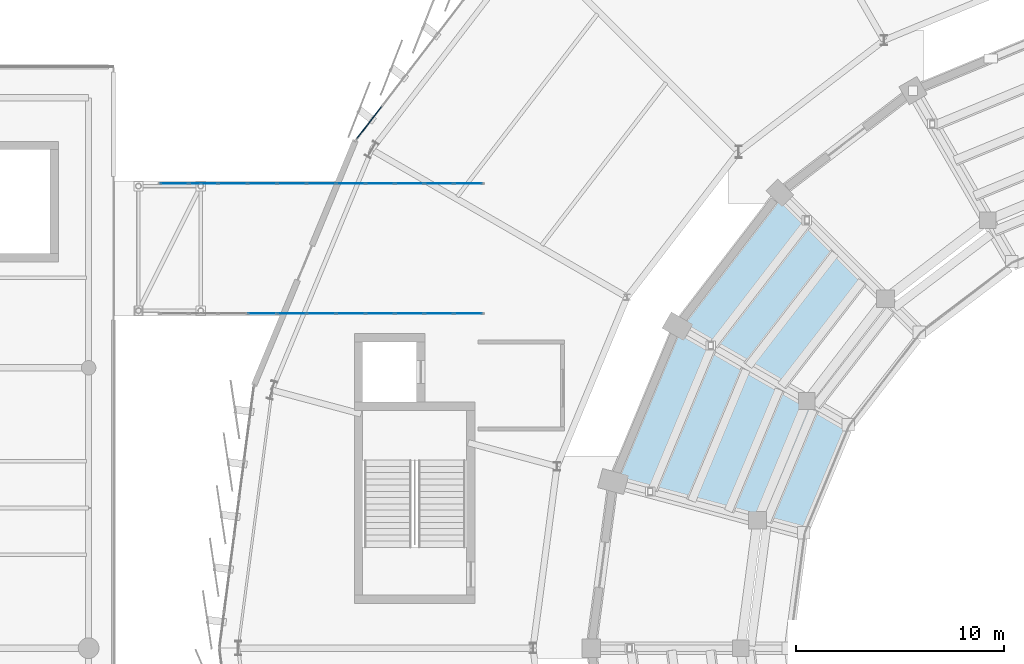
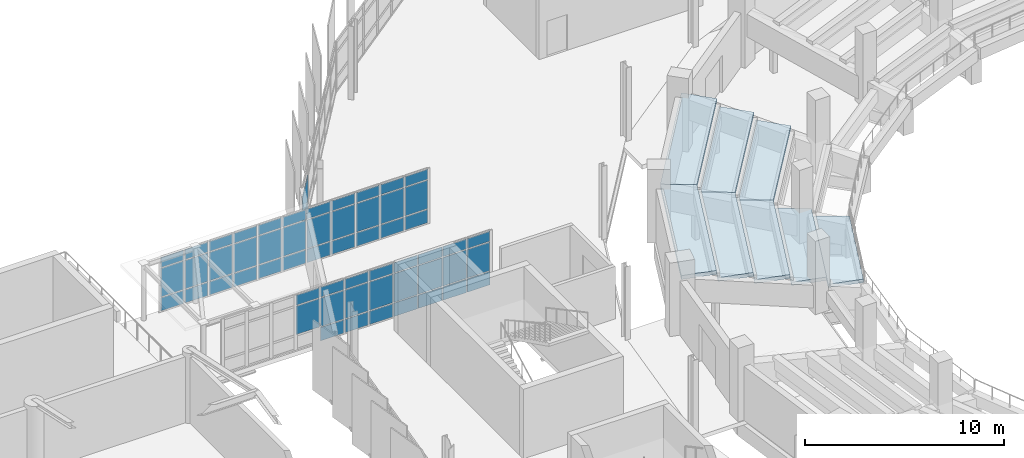
# One storey, part 83 of 120: 58 plates, 8 slabs, 3 elements without a shape of their own.
"""IFC4 building model written with IfcOpenShell, lengths in metres."""

import ifcopenshell
import ifcopenshell.guid

model = None  # the IFC model being written
_history = None  # IfcOwnerHistory: only IFC2X3 demands one
_inside = {}  # id of a spatial element -> (the spatial element, [elements in it])
_under = {}  # id of a project, library or spatial element -> (it, [spatial elements below it])
_declared = {}  # id of a project -> (the project, [libraries it declares])
_typed = {}  # id of a type object -> (the type object, [elements of that type])
_made_of = {}  # id of a material, layer set ... -> (it, [elements and type objects made of it])


def new_model(schema):
    """Start an empty IFC model of exactly this schema.

    Asked for "IFC4X3", IfcOpenShell would pick the latest addendum, in which some entities
    have other attributes; the version numbers below select the first issue.
    IFC2X3 requires an IfcOwnerHistory on every rooted entity: one is made here for all.
    """
    global model, _history
    if schema == "IFC4X3":
        model = ifcopenshell.file(schema_version=(4, 3, 0, 0))
    else:
        model = ifcopenshell.file(schema=schema)
    _inside.clear()
    _under.clear()
    _declared.clear()
    _typed.clear()
    _made_of.clear()
    _history = None
    if model.schema == "IFC2X3":
        org = make("IfcOrganization", Name="unknown")
        user = make(
            "IfcPersonAndOrganization",
            ThePerson=make("IfcPerson", FamilyName="unknown"),
            TheOrganization=org,
        )
        app = make(
            "IfcApplication",
            ApplicationDeveloper=org,
            Version="unknown",
            ApplicationFullName="unknown",
            ApplicationIdentifier="unknown",
        )
        _history = make(
            "IfcOwnerHistory",
            OwningUser=user,
            OwningApplication=app,
            ChangeAction="ADDED",
            CreationDate=0,
        )
    return model


def make(cls, **values):
    """One entity of the class cls with the attributes given. An attribute that is None is left unset."""
    return model.create_entity(
        cls, **{name: value for name, value in values.items() if value is not None}
    )


def rooted(cls, **values):
    """An entity with a GlobalId (a new one), such as an element, a storey or a relation."""
    return make(cls, GlobalId=ifcopenshell.guid.new(), OwnerHistory=_history, **values)


def si_unit(unit_type, name, prefix=None):
    """IfcSIUnit, for example si_unit("LENGTHUNIT", "METRE", prefix="MILLI")."""
    return make("IfcSIUnit", UnitType=unit_type, Prefix=prefix, Name=name)


def assignment(units):
    """IfcUnitAssignment: the units of a project."""
    return None if units is None else make("IfcUnitAssignment", Units=units)


def point(xyz):
    """IfcCartesianPoint."""
    return None if xyz is None else make("IfcCartesianPoint", Coordinates=xyz)


def direction(xyz):
    """IfcDirection."""
    return None if xyz is None else make("IfcDirection", DirectionRatios=xyz)


def frame(location, z_axis=None, x_axis=None):
    """IfcAxis2Placement3D, a coordinate frame: its origin and axes. An axis left out is left unset."""
    return make(
        "IfcAxis2Placement3D",
        Location=point(location),
        Axis=direction(z_axis),
        RefDirection=direction(x_axis),
    )


def frame_2d(location, x_axis=None):
    """IfcAxis2Placement2D, a coordinate frame in the plane: its origin and x axis."""
    return make(
        "IfcAxis2Placement2D", Location=point(location), RefDirection=direction(x_axis)
    )


def origin():
    """The frame at (0, 0, 0) with its axes left unset."""
    return frame((0.0, 0.0, 0.0))


def origin_2d():
    """The frame at (0, 0) in the plane with its x axis left unset."""
    return frame_2d((0.0, 0.0))


def place(relative_to, where):
    """IfcLocalPlacement: puts the frame where relative to a parent placement (None: the world)."""
    return make(
        "IfcLocalPlacement", PlacementRelTo=relative_to, RelativePlacement=where
    )


def context(
    kind, dimensions, precision=None, world=None, true_north=None, identifier=None
):
    """IfcGeometricRepresentationContext, for example the 3D "Model" context."""
    return make(
        "IfcGeometricRepresentationContext",
        ContextIdentifier=identifier,
        ContextType=kind,
        CoordinateSpaceDimension=dimensions,
        Precision=precision,
        WorldCoordinateSystem=world,
        TrueNorth=true_north,
    )


def subcontext(parent, identifier, kind, view, scale=None):
    """IfcGeometricRepresentationSubContext, for example "Body" below "Model"."""
    return make(
        "IfcGeometricRepresentationSubContext",
        ContextIdentifier=identifier,
        ContextType=kind,
        ParentContext=parent,
        TargetScale=scale,
        TargetView=view,
    )


def project(units=None, contexts=None):
    """IfcProject with its units and contexts."""
    return rooted(
        "IfcProject",
        Name="project",
        RepresentationContexts=contexts,
        UnitsInContext=assignment(units),
    )


def spatial(cls, under=None, at=None, **own):
    """A site, building, storey or space (cls), placed at a placement, below another one or the project."""
    s = rooted(cls, ObjectPlacement=at, **own)
    if under is not None:
        _under.setdefault(under.id(), (under, []))[1].append(s)
    return s


def polyline(points):
    """IfcPolyline through the points."""
    return make("IfcPolyline", Points=[point(p) for p in points])


def profile(cls, at=None, kind="AREA", **sizes):
    """A parametric profile (cls). Its sizes go by their IFC names, for example OverallWidth=200.0."""
    return make(cls, ProfileType=kind, Position=at, **sizes)


def rectangle(**sizes):
    """IfcRectangleProfileDef."""
    return profile("IfcRectangleProfileDef", **sizes)


def outline(outer, holes=None, kind="AREA"):
    """IfcArbitraryClosedProfileDef: a profile drawn as a closed curve; with holes, ...WithVoids."""
    if holes is None:
        return make("IfcArbitraryClosedProfileDef", ProfileType=kind, OuterCurve=outer)
    return make(
        "IfcArbitraryProfileDefWithVoids",
        ProfileType=kind,
        OuterCurve=outer,
        InnerCurves=holes,
    )


def extrude(swept, where, along, depth):
    """IfcExtrudedAreaSolid: the profile swept, set in the frame where, extruded along a direction by depth."""
    return make(
        "IfcExtrudedAreaSolid",
        SweptArea=swept,
        Position=where,
        ExtrudedDirection=direction(along),
        Depth=depth,
    )


def shape(context_of_items, identifier, shape_type, items):
    """IfcShapeRepresentation: the items that make up one representation, for example the "Body"."""
    return make(
        "IfcShapeRepresentation",
        ContextOfItems=context_of_items,
        RepresentationIdentifier=identifier,
        RepresentationType=shape_type,
        Items=items,
    )


def material(Name=None, Category=None):
    """IfcMaterial."""
    return make("IfcMaterial", Name=Name, Category=Category)


def layer(
    of_material, thickness, ventilated=None, Name=None, Category=None, Priority=None
):
    """IfcMaterialLayer: one layer of a wall or slab, of a material (None: an air gap)."""
    return make(
        "IfcMaterialLayer",
        Material=of_material,
        LayerThickness=thickness,
        IsVentilated=ventilated,
        Name=Name,
        Category=Category,
        Priority=Priority,
    )


def layer_set(layers, Name=None):
    """IfcMaterialLayerSet."""
    return make("IfcMaterialLayerSet", MaterialLayers=layers, LayerSetName=Name)


def made_of(thing, what):
    """Note that an element or type object is made of a material, layer set ...; save() writes the relation."""
    if what is not None:
        _made_of.setdefault(what.id(), (what, []))[1].append(thing)
    return thing


def type_object(cls, material=None, **own):
    """A type object (cls), such as IfcWallType, which elements share."""
    return made_of(rooted(cls, **own), material)


def element(
    cls,
    number,
    at=None,
    inside=None,
    cuts=None,
    type_object=None,
    material=None,
    context=None,
    identifier="Body",
    shape_type=None,
    held_by="IfcProductDefinitionShape",
    body=None,
    shapes=None,
    **own,
):
    """One element of the class cls, such as IfcWall. Its Tag is "e" and its number.

    at: its placement. inside: the storey or other place that contains it. cuts: it is an
    opening in that element (IfcRelVoidsElement). A single representation is given by context,
    identifier, shape_type and body (its items); several are given by shapes. held_by: the class
    of the entity that holds the representations. save() writes the other relations.
    """
    e = rooted(cls, Tag="e%d" % number, ObjectPlacement=at, **own)
    if body is not None:
        shapes = [shape(context, identifier, shape_type, body)]
    if shapes is not None:
        e.Representation = make(held_by, Representations=shapes)
    if inside is not None:
        _inside.setdefault(inside.id(), (inside, []))[1].append(e)
    if cuts is not None:
        rooted(
            "IfcRelVoidsElement", RelatingBuildingElement=cuts, RelatedOpeningElement=e
        )
    if type_object is not None:
        _typed.setdefault(type_object.id(), (type_object, []))[1].append(e)
    return made_of(e, material)


def aggregate(whole, parts):
    """IfcRelAggregates: a whole, such as a stair, and the parts it consists of."""
    return rooted("IfcRelAggregates", RelatingObject=whole, RelatedObjects=parts)


def save(model, path):
    """Write the relations noted so far, then the file.

    IfcRelAggregates (storeys below a building ...), IfcRelContainedInSpatialStructure (elements
    in a storey), IfcRelDefinesByType, IfcRelAssociatesMaterial and IfcRelDeclares: one each for
    every whole, place, type object, material and project.
    """
    for whole, parts in _under.values():
        aggregate(whole, parts)
    for where, things in _inside.values():
        rooted(
            "IfcRelContainedInSpatialStructure",
            RelatedElements=things,
            RelatingStructure=where,
        )
    for kind, things in _typed.values():
        rooted("IfcRelDefinesByType", RelatedObjects=things, RelatingType=kind)
    for what, things in _made_of.values():
        rooted("IfcRelAssociatesMaterial", RelatedObjects=things, RelatingMaterial=what)
    for by, libraries in _declared.values():
        rooted("IfcRelDeclares", RelatingContext=by, RelatedDefinitions=libraries)
    model.write(path)


model = new_model("IFC4")

# Units and contexts
model_context = context("Model", 3, precision=1e-05, world=origin(), true_north=direction((0.0, 1.0)))
body_context = subcontext(model_context, "Body", "Model", "MODEL_VIEW")
ifc_project = project(units=[si_unit("LENGTHUNIT", "METRE"), si_unit("AREAUNIT", "SQUARE_METRE"), si_unit("VOLUMEUNIT", "CUBIC_METRE"), si_unit("PLANEANGLEUNIT", "RADIAN"), si_unit("MASSUNIT", "GRAM", prefix="KILO")], contexts=[model_context])

# Site, building, storey
site_placement = place(None, origin())
site = spatial("IfcSite", under=ifc_project, at=site_placement, CompositionType="ELEMENT")
building_placement = place(site_placement, origin())
building = spatial("IfcBuilding", under=site, at=building_placement, Name="Sohan Crest Arena", CompositionType="ELEMENT")
storey_placement = place(building_placement, frame((0.0, 0.0, 13.5)))
storey = spatial("IfcBuildingStorey", under=building, at=storey_placement, Name="L03", CompositionType="ELEMENT", Elevation=13.5)

# Curtain wall, plates
ifc_material_1 = material(Name="Thermally broken anodised aluminium", Category="aluminium")
ifc_layer_1 = layer(ifc_material_1, 0.18994140625, Name="Thermally broken anodised aluminium")
ifc_layer_set_1 = layer_set([ifc_layer_1], Name="Thermally broken anodised aluminium")
curtain_wall_type_1 = type_object("IfcCurtainWallType", Name="ARC-CW05", PredefinedType="NOTDEFINED", material=ifc_layer_set_1)
curtain_wall_1_placement = place(storey_placement, origin())
curtain_wall_1 = element("IfcCurtainWall", 1, at=curtain_wall_1_placement, inside=storey, type_object=curtain_wall_type_1, Name="Unitised curtain wall CW-237", PredefinedType="NOTDEFINED")
ifc_material_2 = material(Name="Low-E double-glazed insulated glass", Category="glass")
ifc_layer_2 = layer(ifc_material_2, 0.028076171875, Name="Low-E double-glazed insulated glass")
ifc_layer_set_2 = layer_set([ifc_layer_2], Name="Low-E double-glazed insulated glass")
plate_type_1 = type_object("IfcPlateType", Name="ARC-CNP01", PredefinedType="CURTAIN_PANEL", material=ifc_layer_set_2)
plate_1_placement = place(storey_placement, frame((51.16357421875, 94.1201171875, 0.93017578125), z_axis=(0.0, 0.0, 1.0), x_axis=(1.0, 0.0, 0.0)))
plate_1 = element("IfcPlate", 2, at=plate_1_placement, type_object=plate_type_1, Name="CW-237 panel 4.2", PredefinedType="CURTAIN_PANEL", context=body_context, shape_type="SweptSolid", body=[
    extrude(rectangle(XDim=1.353271484375, YDim=0.028076171875, at=origin_2d()), origin(), (0.0, 0.0, 1.0), 1.739990234375),
])
plate_2_placement = place(storey_placement, frame((51.16357421875, 94.1201171875, 2.72998046875), z_axis=(0.0, 0.0, 1.0), x_axis=(1.0, 0.0, 0.0)))
plate_2 = element("IfcPlate", 3, at=plate_2_placement, type_object=plate_type_1, Name="CW-237 panel 4.3", PredefinedType="CURTAIN_PANEL", context=body_context, shape_type="SweptSolid", body=[
    extrude(rectangle(XDim=1.353271484375, YDim=0.028076171875, at=origin_2d()), origin(), (0.0, 0.0, 1.0), 0.610107421875),
])
plate_3_placement = place(storey_placement, frame((52.581787109375, 94.1201171875, 0.06005859375), z_axis=(0.0, 0.0, 1.0), x_axis=(1.0, 0.0, 0.0)))
plate_3 = element("IfcPlate", 4, at=plate_3_placement, type_object=plate_type_1, Name="CW-237 panel 5.1", PredefinedType="CURTAIN_PANEL", context=body_context, shape_type="SweptSolid", body=[
    extrude(rectangle(XDim=1.353271484375, YDim=0.028076171875, at=origin_2d()), origin(), (0.0, 0.0, 1.0), 0.81005859375),
])
plate_4_placement = place(storey_placement, frame((52.581787109375, 94.1201171875, 0.93017578125), z_axis=(0.0, 0.0, 1.0), x_axis=(1.0, 0.0, 0.0)))
plate_4 = element("IfcPlate", 5, at=plate_4_placement, type_object=plate_type_1, Name="CW-237 panel 5.2", PredefinedType="CURTAIN_PANEL", context=body_context, shape_type="SweptSolid", body=[
    extrude(rectangle(XDim=1.353271484375, YDim=0.028076171875, at=origin_2d()), origin(), (0.0, 0.0, 1.0), 1.739990234375),
])
plate_5_placement = place(storey_placement, frame((52.581787109375, 94.1201171875, 2.72998046875), z_axis=(0.0, 0.0, 1.0), x_axis=(1.0, 0.0, 0.0)))
plate_5 = element("IfcPlate", 6, at=plate_5_placement, type_object=plate_type_1, Name="CW-237 panel 5.3", PredefinedType="CURTAIN_PANEL", context=body_context, shape_type="SweptSolid", body=[
    extrude(rectangle(XDim=1.353271484375, YDim=0.028076171875, at=origin_2d()), origin(), (0.0, 0.0, 1.0), 0.610107421875),
])
plate_6_placement = place(storey_placement, frame((54.0, 94.1201171875, 0.06005859375), z_axis=(0.0, 0.0, 1.0), x_axis=(1.0, 0.0, 0.0)))
plate_6 = element("IfcPlate", 7, at=plate_6_placement, type_object=plate_type_1, Name="CW-237 panel 6.1", PredefinedType="CURTAIN_PANEL", context=body_context, shape_type="SweptSolid", body=[
    extrude(rectangle(XDim=1.353271484375, YDim=0.028076171875, at=origin_2d()), origin(), (0.0, 0.0, 1.0), 0.81005859375),
])
plate_7_placement = place(storey_placement, frame((54.0, 94.1201171875, 0.93017578125), z_axis=(0.0, 0.0, 1.0), x_axis=(1.0, 0.0, 0.0)))
plate_7 = element("IfcPlate", 8, at=plate_7_placement, type_object=plate_type_1, Name="CW-237 panel 6.2", PredefinedType="CURTAIN_PANEL", context=body_context, shape_type="SweptSolid", body=[
    extrude(rectangle(XDim=1.353271484375, YDim=0.028076171875, at=origin_2d()), origin(), (0.0, 0.0, 1.0), 1.739990234375),
])
plate_8_placement = place(storey_placement, frame((54.0, 94.1201171875, 2.72998046875), z_axis=(0.0, 0.0, 1.0), x_axis=(1.0, 0.0, 0.0)))
plate_8 = element("IfcPlate", 9, at=plate_8_placement, type_object=plate_type_1, Name="CW-237 panel 6.3", PredefinedType="CURTAIN_PANEL", context=body_context, shape_type="SweptSolid", body=[
    extrude(rectangle(XDim=1.353271484375, YDim=0.028076171875, at=origin_2d()), origin(), (0.0, 0.0, 1.0), 0.610107421875),
])
plate_9_placement = place(storey_placement, frame((55.418212890625, 94.1201171875, 0.06005859375), z_axis=(0.0, 0.0, 1.0), x_axis=(1.0, 0.0, 0.0)))
plate_9 = element("IfcPlate", 10, at=plate_9_placement, type_object=plate_type_1, Name="CW-237 panel 7.1", PredefinedType="CURTAIN_PANEL", context=body_context, shape_type="SweptSolid", body=[
    extrude(rectangle(XDim=1.353271484375, YDim=0.028076171875, at=origin_2d()), origin(), (0.0, 0.0, 1.0), 0.81005859375),
])
plate_10_placement = place(storey_placement, frame((55.418212890625, 94.1201171875, 0.93017578125), z_axis=(0.0, 0.0, 1.0), x_axis=(1.0, 0.0, 0.0)))
plate_10 = element("IfcPlate", 11, at=plate_10_placement, type_object=plate_type_1, Name="CW-237 panel 7.2", PredefinedType="CURTAIN_PANEL", context=body_context, shape_type="SweptSolid", body=[
    extrude(rectangle(XDim=1.353271484375, YDim=0.028076171875, at=origin_2d()), origin(), (0.0, 0.0, 1.0), 1.739990234375),
])
plate_11_placement = place(storey_placement, frame((55.418212890625, 94.1201171875, 2.72998046875), z_axis=(0.0, 0.0, 1.0), x_axis=(1.0, 0.0, 0.0)))
plate_11 = element("IfcPlate", 12, at=plate_11_placement, type_object=plate_type_1, Name="CW-237 panel 7.3", PredefinedType="CURTAIN_PANEL", context=body_context, shape_type="SweptSolid", body=[
    extrude(rectangle(XDim=1.353271484375, YDim=0.028076171875, at=origin_2d()), origin(), (0.0, 0.0, 1.0), 0.610107421875),
])
plate_12_placement = place(storey_placement, frame((56.83642578125, 94.1201171875, 0.06005859375), z_axis=(0.0, 0.0, 1.0), x_axis=(1.0, 0.0, 0.0)))
plate_12 = element("IfcPlate", 13, at=plate_12_placement, type_object=plate_type_1, Name="CW-237 panel 8.1", PredefinedType="CURTAIN_PANEL", context=body_context, shape_type="SweptSolid", body=[
    extrude(rectangle(XDim=1.353271484375, YDim=0.028076171875, at=origin_2d()), origin(), (0.0, 0.0, 1.0), 0.81005859375),
])
plate_13_placement = place(storey_placement, frame((56.83642578125, 94.1201171875, 0.93017578125), z_axis=(0.0, 0.0, 1.0), x_axis=(1.0, 0.0, 0.0)))
plate_13 = element("IfcPlate", 14, at=plate_13_placement, type_object=plate_type_1, Name="CW-237 panel 8.2", PredefinedType="CURTAIN_PANEL", context=body_context, shape_type="SweptSolid", body=[
    extrude(rectangle(XDim=1.353271484375, YDim=0.028076171875, at=origin_2d()), origin(), (0.0, 0.0, 1.0), 1.739990234375),
])
plate_14_placement = place(storey_placement, frame((56.83642578125, 94.1201171875, 2.72998046875), z_axis=(0.0, 0.0, 1.0), x_axis=(1.0, 0.0, 0.0)))
plate_14 = element("IfcPlate", 15, at=plate_14_placement, type_object=plate_type_1, Name="CW-237 panel 8.3", PredefinedType="CURTAIN_PANEL", context=body_context, shape_type="SweptSolid", body=[
    extrude(rectangle(XDim=1.353271484375, YDim=0.028076171875, at=origin_2d()), origin(), (0.0, 0.0, 1.0), 0.610107421875),
])
plate_15_placement = place(storey_placement, frame((58.254638671875, 94.1201171875, 0.06005859375), z_axis=(0.0, 0.0, 1.0), x_axis=(1.0, 0.0, 0.0)))
plate_15 = element("IfcPlate", 16, at=plate_15_placement, type_object=plate_type_1, Name="CW-237 panel 9.1", PredefinedType="CURTAIN_PANEL", context=body_context, shape_type="SweptSolid", body=[
    extrude(rectangle(XDim=1.353271484375, YDim=0.028076171875, at=origin_2d()), origin(), (0.0, 0.0, 1.0), 0.81005859375),
])
plate_16_placement = place(storey_placement, frame((58.254638671875, 94.1201171875, 0.93017578125), z_axis=(0.0, 0.0, 1.0), x_axis=(1.0, 0.0, 0.0)))
plate_16 = element("IfcPlate", 17, at=plate_16_placement, type_object=plate_type_1, Name="CW-237 panel 9.2", PredefinedType="CURTAIN_PANEL", context=body_context, shape_type="SweptSolid", body=[
    extrude(rectangle(XDim=1.353271484375, YDim=0.028076171875, at=origin_2d()), origin(), (0.0, 0.0, 1.0), 1.739990234375),
])
plate_17_placement = place(storey_placement, frame((58.254638671875, 94.1201171875, 2.72998046875), z_axis=(0.0, 0.0, 1.0), x_axis=(1.0, 0.0, 0.0)))
plate_17 = element("IfcPlate", 18, at=plate_17_placement, type_object=plate_type_1, Name="CW-237 panel 9.3", PredefinedType="CURTAIN_PANEL", context=body_context, shape_type="SweptSolid", body=[
    extrude(rectangle(XDim=1.353271484375, YDim=0.028076171875, at=origin_2d()), origin(), (0.0, 0.0, 1.0), 0.610107421875),
])
plate_18_placement = place(storey_placement, frame((59.672607421875, 94.1201171875, 0.06005859375), z_axis=(0.0, 0.0, 1.0), x_axis=(1.0, 0.0, 0.0)))
plate_18 = element("IfcPlate", 19, at=plate_18_placement, type_object=plate_type_1, Name="CW-237 panel 10.1", PredefinedType="CURTAIN_PANEL", context=body_context, shape_type="SweptSolid", body=[
    extrude(rectangle(XDim=1.353271484375, YDim=0.028076171875, at=origin_2d()), origin(), (0.0, 0.0, 1.0), 0.81005859375),
])
plate_19_placement = place(storey_placement, frame((59.672607421875, 94.1201171875, 0.93017578125), z_axis=(0.0, 0.0, 1.0), x_axis=(1.0, 0.0, 0.0)))
plate_19 = element("IfcPlate", 20, at=plate_19_placement, type_object=plate_type_1, Name="CW-237 panel 10.2", PredefinedType="CURTAIN_PANEL", context=body_context, shape_type="SweptSolid", body=[
    extrude(rectangle(XDim=1.353271484375, YDim=0.028076171875, at=origin_2d()), origin(), (0.0, 0.0, 1.0), 1.739990234375),
])
plate_20_placement = place(storey_placement, frame((59.672607421875, 94.1201171875, 2.72998046875), z_axis=(0.0, 0.0, 1.0), x_axis=(1.0, 0.0, 0.0)))
plate_20 = element("IfcPlate", 21, at=plate_20_placement, type_object=plate_type_1, Name="CW-237 panel 10.3", PredefinedType="CURTAIN_PANEL", context=body_context, shape_type="SweptSolid", body=[
    extrude(rectangle(XDim=1.353271484375, YDim=0.028076171875, at=origin_2d()), origin(), (0.0, 0.0, 1.0), 0.610107421875),
])
plate_21_placement = place(storey_placement, frame((61.07470703125, 94.1201171875, 0.06005859375), z_axis=(0.0, 0.0, 1.0), x_axis=(1.0, 0.0, 0.0)))
plate_21 = element("IfcPlate", 22, at=plate_21_placement, type_object=plate_type_1, Name="CW-237 panel 11.1", PredefinedType="CURTAIN_PANEL", context=body_context, shape_type="SweptSolid", body=[
    extrude(rectangle(XDim=1.32080078125, YDim=0.028076171875, at=origin_2d()), origin(), (0.0, 0.0, 1.0), 0.81005859375),
])
plate_22_placement = place(storey_placement, frame((61.07470703125, 94.1201171875, 0.93017578125), z_axis=(0.0, 0.0, 1.0), x_axis=(1.0, 0.0, 0.0)))
plate_22 = element("IfcPlate", 23, at=plate_22_placement, type_object=plate_type_1, Name="CW-237 panel 11.2", PredefinedType="CURTAIN_PANEL", context=body_context, shape_type="SweptSolid", body=[
    extrude(rectangle(XDim=1.32080078125, YDim=0.028076171875, at=origin_2d()), origin(), (0.0, 0.0, 1.0), 1.739990234375),
])
plate_23_placement = place(storey_placement, frame((61.07470703125, 94.1201171875, 2.72998046875), z_axis=(0.0, 0.0, 1.0), x_axis=(1.0, 0.0, 0.0)))
plate_23 = element("IfcPlate", 24, at=plate_23_placement, type_object=plate_type_1, Name="CW-237 panel 11.3", PredefinedType="CURTAIN_PANEL", context=body_context, shape_type="SweptSolid", body=[
    extrude(rectangle(XDim=1.32080078125, YDim=0.028076171875, at=origin_2d()), origin(), (0.0, 0.0, 1.0), 0.610107421875),
])
aggregate(curtain_wall_1, [plate_1, plate_2, plate_3, plate_4, plate_5, plate_6, plate_7, plate_8, plate_9, plate_10, plate_11, plate_12, plate_13, plate_14, plate_15, plate_16, plate_17, plate_18, plate_19, plate_20, plate_21, plate_22, plate_23])

curtain_wall_2_placement = place(storey_placement, origin())
curtain_wall_2 = element("IfcCurtainWall", 25, at=curtain_wall_2_placement, inside=storey, type_object=curtain_wall_type_1, Name="Unitised curtain wall CW-238", PredefinedType="NOTDEFINED")
plate_24_placement = place(storey_placement, frame((46.92529296875, 100.3798828125, 0.06005859375), z_axis=(0.0, 0.0, 1.0), x_axis=(1.0, 0.0, 0.0)))
plate_24 = element("IfcPlate", 26, at=plate_24_placement, type_object=plate_type_1, Name="CW-238 panel 1.1", PredefinedType="CURTAIN_PANEL", context=body_context, shape_type="SweptSolid", body=[
    extrude(rectangle(XDim=1.32080078125, YDim=0.028076171875, at=origin_2d()), origin(), (0.0, 0.0, 1.0), 0.81005859375),
])
plate_25_placement = place(storey_placement, frame((46.92529296875, 100.3798828125, 0.93017578125), z_axis=(0.0, 0.0, 1.0), x_axis=(1.0, 0.0, 0.0)))
plate_25 = element("IfcPlate", 27, at=plate_25_placement, type_object=plate_type_1, Name="CW-238 panel 1.2", PredefinedType="CURTAIN_PANEL", context=body_context, shape_type="SweptSolid", body=[
    extrude(rectangle(XDim=1.32080078125, YDim=0.028076171875, at=origin_2d()), origin(), (0.0, 0.0, 1.0), 1.739990234375),
])
plate_26_placement = place(storey_placement, frame((46.92529296875, 100.3798828125, 2.72998046875), z_axis=(0.0, 0.0, 1.0), x_axis=(1.0, 0.0, 0.0)))
plate_26 = element("IfcPlate", 28, at=plate_26_placement, type_object=plate_type_1, Name="CW-238 panel 1.3", PredefinedType="CURTAIN_PANEL", context=body_context, shape_type="SweptSolid", body=[
    extrude(rectangle(XDim=1.32080078125, YDim=0.028076171875, at=origin_2d()), origin(), (0.0, 0.0, 1.0), 0.610107421875),
])
plate_27_placement = place(storey_placement, frame((48.327392578125, 100.3798828125, 0.06005859375), z_axis=(0.0, 0.0, 1.0), x_axis=(1.0, 0.0, 0.0)))
plate_27 = element("IfcPlate", 29, at=plate_27_placement, type_object=plate_type_1, Name="CW-238 panel 2.1", PredefinedType="CURTAIN_PANEL", context=body_context, shape_type="SweptSolid", body=[
    extrude(rectangle(XDim=1.353271484375, YDim=0.028076171875, at=origin_2d()), origin(), (0.0, 0.0, 1.0), 0.81005859375),
])
plate_28_placement = place(storey_placement, frame((48.327392578125, 100.3798828125, 0.93017578125), z_axis=(0.0, 0.0, 1.0), x_axis=(1.0, 0.0, 0.0)))
plate_28 = element("IfcPlate", 30, at=plate_28_placement, type_object=plate_type_1, Name="CW-238 panel 2.2", PredefinedType="CURTAIN_PANEL", context=body_context, shape_type="SweptSolid", body=[
    extrude(rectangle(XDim=1.353271484375, YDim=0.028076171875, at=origin_2d()), origin(), (0.0, 0.0, 1.0), 1.739990234375),
])
plate_29_placement = place(storey_placement, frame((48.327392578125, 100.3798828125, 2.72998046875), z_axis=(0.0, 0.0, 1.0), x_axis=(1.0, 0.0, 0.0)))
plate_29 = element("IfcPlate", 31, at=plate_29_placement, type_object=plate_type_1, Name="CW-238 panel 2.3", PredefinedType="CURTAIN_PANEL", context=body_context, shape_type="SweptSolid", body=[
    extrude(rectangle(XDim=1.353271484375, YDim=0.028076171875, at=origin_2d()), origin(), (0.0, 0.0, 1.0), 0.610107421875),
])
plate_30_placement = place(storey_placement, frame((49.745361328125, 100.3798828125, 0.06005859375), z_axis=(0.0, 0.0, 1.0), x_axis=(1.0, 0.0, 0.0)))
plate_30 = element("IfcPlate", 32, at=plate_30_placement, type_object=plate_type_1, Name="CW-238 panel 3.1", PredefinedType="CURTAIN_PANEL", context=body_context, shape_type="SweptSolid", body=[
    extrude(rectangle(XDim=1.353271484375, YDim=0.028076171875, at=origin_2d()), origin(), (0.0, 0.0, 1.0), 0.81005859375),
])
plate_31_placement = place(storey_placement, frame((49.745361328125, 100.3798828125, 0.93017578125), z_axis=(0.0, 0.0, 1.0), x_axis=(1.0, 0.0, 0.0)))
plate_31 = element("IfcPlate", 33, at=plate_31_placement, type_object=plate_type_1, Name="CW-238 panel 3.2", PredefinedType="CURTAIN_PANEL", context=body_context, shape_type="SweptSolid", body=[
    extrude(rectangle(XDim=1.353271484375, YDim=0.028076171875, at=origin_2d()), origin(), (0.0, 0.0, 1.0), 1.739990234375),
])
plate_32_placement = place(storey_placement, frame((49.745361328125, 100.3798828125, 2.72998046875), z_axis=(0.0, 0.0, 1.0), x_axis=(1.0, 0.0, 0.0)))
plate_32 = element("IfcPlate", 34, at=plate_32_placement, type_object=plate_type_1, Name="CW-238 panel 3.3", PredefinedType="CURTAIN_PANEL", context=body_context, shape_type="SweptSolid", body=[
    extrude(rectangle(XDim=1.353271484375, YDim=0.028076171875, at=origin_2d()), origin(), (0.0, 0.0, 1.0), 0.610107421875),
])
plate_33_placement = place(storey_placement, frame((51.16357421875, 100.3798828125, 0.06005859375), z_axis=(0.0, 0.0, 1.0), x_axis=(1.0, 0.0, 0.0)))
plate_33 = element("IfcPlate", 35, at=plate_33_placement, type_object=plate_type_1, Name="CW-238 panel 4.1", PredefinedType="CURTAIN_PANEL", context=body_context, shape_type="SweptSolid", body=[
    extrude(rectangle(XDim=1.353271484375, YDim=0.028076171875, at=origin_2d()), origin(), (0.0, 0.0, 1.0), 0.81005859375),
])
plate_34_placement = place(storey_placement, frame((51.16357421875, 100.3798828125, 0.93017578125), z_axis=(0.0, 0.0, 1.0), x_axis=(1.0, 0.0, 0.0)))
plate_34 = element("IfcPlate", 36, at=plate_34_placement, type_object=plate_type_1, Name="CW-238 panel 4.2", PredefinedType="CURTAIN_PANEL", context=body_context, shape_type="SweptSolid", body=[
    extrude(rectangle(XDim=1.353271484375, YDim=0.028076171875, at=origin_2d()), origin(), (0.0, 0.0, 1.0), 1.739990234375),
])
plate_35_placement = place(storey_placement, frame((51.16357421875, 100.3798828125, 2.72998046875), z_axis=(0.0, 0.0, 1.0), x_axis=(1.0, 0.0, 0.0)))
plate_35 = element("IfcPlate", 37, at=plate_35_placement, type_object=plate_type_1, Name="CW-238 panel 4.3", PredefinedType="CURTAIN_PANEL", context=body_context, shape_type="SweptSolid", body=[
    extrude(rectangle(XDim=1.353271484375, YDim=0.028076171875, at=origin_2d()), origin(), (0.0, 0.0, 1.0), 0.610107421875),
])
plate_36_placement = place(storey_placement, frame((52.581787109375, 100.3798828125, 0.06005859375), z_axis=(0.0, 0.0, 1.0), x_axis=(1.0, 0.0, 0.0)))
plate_36 = element("IfcPlate", 38, at=plate_36_placement, type_object=plate_type_1, Name="CW-238 panel 5.1", PredefinedType="CURTAIN_PANEL", context=body_context, shape_type="SweptSolid", body=[
    extrude(rectangle(XDim=1.353271484375, YDim=0.028076171875, at=origin_2d()), origin(), (0.0, 0.0, 1.0), 0.81005859375),
])
plate_37_placement = place(storey_placement, frame((52.581787109375, 100.3798828125, 0.93017578125), z_axis=(0.0, 0.0, 1.0), x_axis=(1.0, 0.0, 0.0)))
plate_37 = element("IfcPlate", 39, at=plate_37_placement, type_object=plate_type_1, Name="CW-238 panel 5.2", PredefinedType="CURTAIN_PANEL", context=body_context, shape_type="SweptSolid", body=[
    extrude(rectangle(XDim=1.353271484375, YDim=0.028076171875, at=origin_2d()), origin(), (0.0, 0.0, 1.0), 1.739990234375),
])
plate_38_placement = place(storey_placement, frame((52.581787109375, 100.3798828125, 2.72998046875), z_axis=(0.0, 0.0, 1.0), x_axis=(1.0, 0.0, 0.0)))
plate_38 = element("IfcPlate", 40, at=plate_38_placement, type_object=plate_type_1, Name="CW-238 panel 5.3", PredefinedType="CURTAIN_PANEL", context=body_context, shape_type="SweptSolid", body=[
    extrude(rectangle(XDim=1.353271484375, YDim=0.028076171875, at=origin_2d()), origin(), (0.0, 0.0, 1.0), 0.610107421875),
])
plate_39_placement = place(storey_placement, frame((54.0, 100.3798828125, 0.06005859375), z_axis=(0.0, 0.0, 1.0), x_axis=(1.0, 0.0, 0.0)))
plate_39 = element("IfcPlate", 41, at=plate_39_placement, type_object=plate_type_1, Name="CW-238 panel 6.1", PredefinedType="CURTAIN_PANEL", context=body_context, shape_type="SweptSolid", body=[
    extrude(rectangle(XDim=1.353271484375, YDim=0.028076171875, at=origin_2d()), origin(), (0.0, 0.0, 1.0), 0.81005859375),
])
plate_40_placement = place(storey_placement, frame((54.0, 100.3798828125, 0.93017578125), z_axis=(0.0, 0.0, 1.0), x_axis=(1.0, 0.0, 0.0)))
plate_40 = element("IfcPlate", 42, at=plate_40_placement, type_object=plate_type_1, Name="CW-238 panel 6.2", PredefinedType="CURTAIN_PANEL", context=body_context, shape_type="SweptSolid", body=[
    extrude(rectangle(XDim=1.353271484375, YDim=0.028076171875, at=origin_2d()), origin(), (0.0, 0.0, 1.0), 1.739990234375),
])
plate_41_placement = place(storey_placement, frame((54.0, 100.3798828125, 2.72998046875), z_axis=(0.0, 0.0, 1.0), x_axis=(1.0, 0.0, 0.0)))
plate_41 = element("IfcPlate", 43, at=plate_41_placement, type_object=plate_type_1, Name="CW-238 panel 6.3", PredefinedType="CURTAIN_PANEL", context=body_context, shape_type="SweptSolid", body=[
    extrude(rectangle(XDim=1.353271484375, YDim=0.028076171875, at=origin_2d()), origin(), (0.0, 0.0, 1.0), 0.610107421875),
])
plate_42_placement = place(storey_placement, frame((55.418212890625, 100.3798828125, 0.06005859375), z_axis=(0.0, 0.0, 1.0), x_axis=(1.0, 0.0, 0.0)))
plate_42 = element("IfcPlate", 44, at=plate_42_placement, type_object=plate_type_1, Name="CW-238 panel 7.1", PredefinedType="CURTAIN_PANEL", context=body_context, shape_type="SweptSolid", body=[
    extrude(rectangle(XDim=1.353271484375, YDim=0.028076171875, at=origin_2d()), origin(), (0.0, 0.0, 1.0), 0.81005859375),
])
plate_43_placement = place(storey_placement, frame((55.418212890625, 100.3798828125, 0.93017578125), z_axis=(0.0, 0.0, 1.0), x_axis=(1.0, 0.0, 0.0)))
plate_43 = element("IfcPlate", 45, at=plate_43_placement, type_object=plate_type_1, Name="CW-238 panel 7.2", PredefinedType="CURTAIN_PANEL", context=body_context, shape_type="SweptSolid", body=[
    extrude(rectangle(XDim=1.353271484375, YDim=0.028076171875, at=origin_2d()), origin(), (0.0, 0.0, 1.0), 1.739990234375),
])
plate_44_placement = place(storey_placement, frame((55.418212890625, 100.3798828125, 2.72998046875), z_axis=(0.0, 0.0, 1.0), x_axis=(1.0, 0.0, 0.0)))
plate_44 = element("IfcPlate", 46, at=plate_44_placement, type_object=plate_type_1, Name="CW-238 panel 7.3", PredefinedType="CURTAIN_PANEL", context=body_context, shape_type="SweptSolid", body=[
    extrude(rectangle(XDim=1.353271484375, YDim=0.028076171875, at=origin_2d()), origin(), (0.0, 0.0, 1.0), 0.610107421875),
])
plate_45_placement = place(storey_placement, frame((56.83642578125, 100.3798828125, 0.06005859375), z_axis=(0.0, 0.0, 1.0), x_axis=(1.0, 0.0, 0.0)))
plate_45 = element("IfcPlate", 47, at=plate_45_placement, type_object=plate_type_1, Name="CW-238 panel 8.1", PredefinedType="CURTAIN_PANEL", context=body_context, shape_type="SweptSolid", body=[
    extrude(rectangle(XDim=1.353271484375, YDim=0.028076171875, at=origin_2d()), origin(), (0.0, 0.0, 1.0), 0.81005859375),
])
plate_46_placement = place(storey_placement, frame((56.83642578125, 100.3798828125, 0.93017578125), z_axis=(0.0, 0.0, 1.0), x_axis=(1.0, 0.0, 0.0)))
plate_46 = element("IfcPlate", 48, at=plate_46_placement, type_object=plate_type_1, Name="CW-238 panel 8.2", PredefinedType="CURTAIN_PANEL", context=body_context, shape_type="SweptSolid", body=[
    extrude(rectangle(XDim=1.353271484375, YDim=0.028076171875, at=origin_2d()), origin(), (0.0, 0.0, 1.0), 1.739990234375),
])
plate_47_placement = place(storey_placement, frame((56.83642578125, 100.3798828125, 2.72998046875), z_axis=(0.0, 0.0, 1.0), x_axis=(1.0, 0.0, 0.0)))
plate_47 = element("IfcPlate", 49, at=plate_47_placement, type_object=plate_type_1, Name="CW-238 panel 8.3", PredefinedType="CURTAIN_PANEL", context=body_context, shape_type="SweptSolid", body=[
    extrude(rectangle(XDim=1.353271484375, YDim=0.028076171875, at=origin_2d()), origin(), (0.0, 0.0, 1.0), 0.610107421875),
])
plate_48_placement = place(storey_placement, frame((58.254638671875, 100.3798828125, 0.06005859375), z_axis=(0.0, 0.0, 1.0), x_axis=(1.0, 0.0, 0.0)))
plate_48 = element("IfcPlate", 50, at=plate_48_placement, type_object=plate_type_1, Name="CW-238 panel 9.1", PredefinedType="CURTAIN_PANEL", context=body_context, shape_type="SweptSolid", body=[
    extrude(rectangle(XDim=1.353271484375, YDim=0.028076171875, at=origin_2d()), origin(), (0.0, 0.0, 1.0), 0.81005859375),
])
plate_49_placement = place(storey_placement, frame((58.254638671875, 100.3798828125, 0.93017578125), z_axis=(0.0, 0.0, 1.0), x_axis=(1.0, 0.0, 0.0)))
plate_49 = element("IfcPlate", 51, at=plate_49_placement, type_object=plate_type_1, Name="CW-238 panel 9.2", PredefinedType="CURTAIN_PANEL", context=body_context, shape_type="SweptSolid", body=[
    extrude(rectangle(XDim=1.353271484375, YDim=0.028076171875, at=origin_2d()), origin(), (0.0, 0.0, 1.0), 1.739990234375),
])
plate_50_placement = place(storey_placement, frame((58.254638671875, 100.3798828125, 2.72998046875), z_axis=(0.0, 0.0, 1.0), x_axis=(1.0, 0.0, 0.0)))
plate_50 = element("IfcPlate", 52, at=plate_50_placement, type_object=plate_type_1, Name="CW-238 panel 9.3", PredefinedType="CURTAIN_PANEL", context=body_context, shape_type="SweptSolid", body=[
    extrude(rectangle(XDim=1.353271484375, YDim=0.028076171875, at=origin_2d()), origin(), (0.0, 0.0, 1.0), 0.610107421875),
])
plate_51_placement = place(storey_placement, frame((59.672607421875, 100.3798828125, 0.06005859375), z_axis=(0.0, 0.0, 1.0), x_axis=(1.0, 0.0, 0.0)))
plate_51 = element("IfcPlate", 53, at=plate_51_placement, type_object=plate_type_1, Name="CW-238 panel 10.1", PredefinedType="CURTAIN_PANEL", context=body_context, shape_type="SweptSolid", body=[
    extrude(rectangle(XDim=1.353271484375, YDim=0.028076171875, at=origin_2d()), origin(), (0.0, 0.0, 1.0), 0.81005859375),
])
plate_52_placement = place(storey_placement, frame((59.672607421875, 100.3798828125, 0.93017578125), z_axis=(0.0, 0.0, 1.0), x_axis=(1.0, 0.0, 0.0)))
plate_52 = element("IfcPlate", 54, at=plate_52_placement, type_object=plate_type_1, Name="CW-238 panel 10.2", PredefinedType="CURTAIN_PANEL", context=body_context, shape_type="SweptSolid", body=[
    extrude(rectangle(XDim=1.353271484375, YDim=0.028076171875, at=origin_2d()), origin(), (0.0, 0.0, 1.0), 1.739990234375),
])
plate_53_placement = place(storey_placement, frame((59.672607421875, 100.3798828125, 2.72998046875), z_axis=(0.0, 0.0, 1.0), x_axis=(1.0, 0.0, 0.0)))
plate_53 = element("IfcPlate", 55, at=plate_53_placement, type_object=plate_type_1, Name="CW-238 panel 10.3", PredefinedType="CURTAIN_PANEL", context=body_context, shape_type="SweptSolid", body=[
    extrude(rectangle(XDim=1.353271484375, YDim=0.028076171875, at=origin_2d()), origin(), (0.0, 0.0, 1.0), 0.610107421875),
])
plate_54_placement = place(storey_placement, frame((61.07470703125, 100.3798828125, 0.06005859375), z_axis=(0.0, 0.0, 1.0), x_axis=(1.0, 0.0, 0.0)))
plate_54 = element("IfcPlate", 56, at=plate_54_placement, type_object=plate_type_1, Name="CW-238 panel 11.1", PredefinedType="CURTAIN_PANEL", context=body_context, shape_type="SweptSolid", body=[
    extrude(rectangle(XDim=1.32080078125, YDim=0.028076171875, at=origin_2d()), origin(), (0.0, 0.0, 1.0), 0.81005859375),
])
plate_55_placement = place(storey_placement, frame((61.07470703125, 100.3798828125, 0.93017578125), z_axis=(0.0, 0.0, 1.0), x_axis=(1.0, 0.0, 0.0)))
plate_55 = element("IfcPlate", 57, at=plate_55_placement, type_object=plate_type_1, Name="CW-238 panel 11.2", PredefinedType="CURTAIN_PANEL", context=body_context, shape_type="SweptSolid", body=[
    extrude(rectangle(XDim=1.32080078125, YDim=0.028076171875, at=origin_2d()), origin(), (0.0, 0.0, 1.0), 1.739990234375),
])
plate_56_placement = place(storey_placement, frame((61.07470703125, 100.3798828125, 2.72998046875), z_axis=(0.0, 0.0, 1.0), x_axis=(1.0, 0.0, 0.0)))
plate_56 = element("IfcPlate", 58, at=plate_56_placement, type_object=plate_type_1, Name="CW-238 panel 11.3", PredefinedType="CURTAIN_PANEL", context=body_context, shape_type="SweptSolid", body=[
    extrude(rectangle(XDim=1.32080078125, YDim=0.028076171875, at=origin_2d()), origin(), (0.0, 0.0, 1.0), 0.610107421875),
])
aggregate(curtain_wall_2, [plate_24, plate_25, plate_26, plate_27, plate_28, plate_29, plate_30, plate_31, plate_32, plate_33, plate_34, plate_35, plate_36, plate_37, plate_38, plate_39, plate_40, plate_41, plate_42, plate_43, plate_44, plate_45, plate_46, plate_47, plate_48, plate_49, plate_50, plate_51, plate_52, plate_53, plate_54, plate_55, plate_56])

ifc_layer_3 = layer(ifc_material_1, 0.239990234375, Name="Thermally broken anodised aluminium")
ifc_layer_set_3 = layer_set([ifc_layer_3], Name="Thermally broken anodised aluminium")
curtain_wall_type_2 = type_object("IfcCurtainWallType", Name="ARC-CW04", PredefinedType="NOTDEFINED", material=ifc_layer_set_3)
curtain_wall_3_placement = place(storey_placement, origin())
curtain_wall_3 = element("IfcCurtainWall", 59, at=curtain_wall_3_placement, inside=storey, type_object=curtain_wall_type_2, Name="Unitised curtain wall CW-083", PredefinedType="NOTDEFINED")
ifc_material_3 = material(Name="Insulated polychrome ceramic spandrel panel", Category="masonry")
ifc_layer_4 = layer(ifc_material_3, 0.0419921875, Name="Insulated polychrome ceramic spandrel panel")
ifc_layer_set_4 = layer_set([ifc_layer_4], Name="Insulated polychrome ceramic spandrel panel")
plate_type_2 = type_object("IfcPlateType", Name="ARC-CNP04", PredefinedType="CURTAIN_PANEL", material=ifc_layer_set_4)
plate_57_placement = place(storey_placement, frame((56.31005859375, 103.308837890625, 0.06005859375), z_axis=(0.0, 0.0, 1.0), x_axis=(-0.608737381249, -0.793371792207, 0.0)))
plate_57 = element("IfcPlate", 60, at=plate_57_placement, type_object=plate_type_2, Name="CW-083 panel 6.1", PredefinedType="CURTAIN_PANEL", context=body_context, shape_type="SweptSolid", body=[
    extrude(rectangle(XDim=2.01513671875, YDim=0.0419921875, at=origin_2d()), origin(), (0.0, 0.0, 1.0), 0.81005859375),
])
plate_58_placement = place(storey_placement, frame((56.31005859375, 103.308837890625, 0.929931640625), z_axis=(0.0, 0.0, 1.0), x_axis=(-0.608737381249, -0.793371792207, 0.0)))
plate_58 = element("IfcPlate", 61, at=plate_58_placement, type_object=plate_type_2, Name="CW-083 panel 6.2", PredefinedType="CURTAIN_PANEL", context=body_context, shape_type="SweptSolid", body=[
    extrude(rectangle(XDim=2.01513671875, YDim=0.0419921875, at=origin_2d()), origin(), (0.0, 0.0, 1.0), 1.4599609375),
])
aggregate(curtain_wall_3, [plate_57, plate_58])

# Slabs
ifc_material_4 = material(Name="Precast concrete C50/60", Category="concrete")
ifc_layer_5 = layer(ifc_material_4, 0.205078125, Name="Precast concrete C50/60")
ifc_layer_set_5 = layer_set([ifc_layer_5], Name="Precast concrete C50/60")
slab_type_1 = type_object("IfcSlabType", Name="SL-TIER2", PredefinedType="USERDEFINED", material=ifc_layer_set_5)
slab_1_placement = place(storey_placement, frame((0.0, 0.0, 1.2109375)))
element("IfcSlab", 62, at=slab_1_placement, inside=storey, type_object=slab_type_1, Name="Upper cantilevered precast seating tier ST-UPP-040", ObjectType="SEATING TIER", PredefinedType="USERDEFINED", context=body_context, shape_type="SweptSolid", body=[
    extrude(outline(polyline([(79.381103515625, 88.60009765625), (77.23291015625, 83.487060546875), (75.470947265625, 83.97412109375), (77.801025390625, 89.541015625), (79.381103515625, 88.60009765625)])), origin(), (0.0, 0.0, 1.0), 0.205078125),
])
slab_2_placement = place(storey_placement, frame((0.0, 0.0, 1.6708984375)))
element("IfcSlab", 63, at=slab_2_placement, inside=storey, type_object=slab_type_1, Name="Upper cantilevered precast seating tier ST-UPP-041", ObjectType="SEATING TIER", PredefinedType="USERDEFINED", context=body_context, shape_type="SweptSolid", body=[
    extrude(outline(polyline([(77.735107421875, 89.580078125), (75.39697265625, 83.993896484375), (73.635009765625, 84.48095703125), (76.156005859375, 90.52099609375), (77.735107421875, 89.580078125)])), origin(), (0.0, 0.0, 1.0), 0.205078125),
])
ifc_layer_6 = layer(ifc_material_4, 0.235107421875, Name="Precast concrete C50/60")
ifc_layer_set_6 = layer_set([ifc_layer_6], Name="Precast concrete C50/60")
slab_type_2 = type_object("IfcSlabType", Name="SL-TIER3", PredefinedType="USERDEFINED", material=ifc_layer_set_6)
slab_3_placement = place(storey_placement, frame((0.0, 0.0, 2.131103515625)))
element("IfcSlab", 64, at=slab_3_placement, inside=storey, type_object=slab_type_2, Name="Upper cantilevered precast seating tier ST-UPP-032", ObjectType="SEATING TIER", PredefinedType="USERDEFINED", context=body_context, shape_type="SweptSolid", body=[
    extrude(outline(polyline([(80.110107421875, 95.761962890625), (76.090087890625, 90.56005859375), (74.510009765625, 91.5009765625), (78.821044921875, 97.093017578125), (80.110107421875, 95.761962890625)])), origin(), (0.0, 0.0, 1.0), 0.23486328125),
])
slab_4_placement = place(storey_placement, frame((0.0, 0.0, 2.591064453125)))
element("IfcSlab", 65, at=slab_4_placement, inside=storey, type_object=slab_type_2, Name="Upper cantilevered precast seating tier ST-UPP-033", ObjectType="SEATING TIER", PredefinedType="USERDEFINED", context=body_context, shape_type="SweptSolid", body=[
    extrude(outline(polyline([(78.76708984375, 97.14794921875), (74.444091796875, 91.5400390625), (72.864013671875, 92.48095703125), (77.47705078125, 98.47900390625), (78.76708984375, 97.14794921875)])), origin(), (0.0, 0.0, 1.0), 0.23486328125),
])
slab_5_placement = place(storey_placement, frame((0.0, 0.0, 3.051025390625)))
element("IfcSlab", 66, at=slab_5_placement, inside=storey, type_object=slab_type_2, Name="Upper cantilevered precast seating tier ST-UPP-034", ObjectType="SEATING TIER", PredefinedType="USERDEFINED", context=body_context, shape_type="SweptSolid", body=[
    extrude(outline(polyline([(77.423095703125, 98.533935546875), (72.799072265625, 92.52001953125), (71.218994140625, 93.4609375), (76.134033203125, 99.864990234375), (77.423095703125, 98.533935546875)])), origin(), (0.0, 0.0, 1.0), 0.23486328125),
])
slab_6_placement = place(storey_placement, frame((0.0, 0.0, 2.131103515625)))
element("IfcSlab", 67, at=slab_6_placement, inside=storey, type_object=slab_type_2, Name="Upper cantilevered precast seating tier ST-UPP-042", ObjectType="SEATING TIER", PredefinedType="USERDEFINED", context=body_context, shape_type="SweptSolid", body=[
    extrude(outline(polyline([(76.090087890625, 90.56005859375), (73.56201171875, 84.5009765625), (71.800048828125, 84.988037109375), (74.510009765625, 91.5009765625), (76.090087890625, 90.56005859375)])), origin(), (0.0, 0.0, 1.0), 0.23486328125),
])
slab_7_placement = place(storey_placement, frame((0.0, 0.0, 2.591064453125)))
element("IfcSlab", 68, at=slab_7_placement, inside=storey, type_object=slab_type_2, Name="Upper cantilevered precast seating tier ST-UPP-043", ObjectType="SEATING TIER", PredefinedType="USERDEFINED", context=body_context, shape_type="SweptSolid", body=[
    extrude(outline(polyline([(74.444091796875, 91.5400390625), (71.72705078125, 85.009033203125), (69.965087890625, 85.49609375), (72.864013671875, 92.48095703125), (74.444091796875, 91.5400390625)])), origin(), (0.0, 0.0, 1.0), 0.23486328125),
])
slab_8_placement = place(storey_placement, frame((0.0, 0.0, 3.051025390625)))
element("IfcSlab", 69, at=slab_8_placement, inside=storey, type_object=slab_type_2, Name="Upper cantilevered precast seating tier ST-UPP-044", ObjectType="SEATING TIER", PredefinedType="USERDEFINED", context=body_context, shape_type="SweptSolid", body=[
    extrude(outline(polyline([(72.799072265625, 92.52001953125), (69.89111328125, 85.51611328125), (68.12890625, 86.0029296875), (71.218994140625, 93.4609375), (72.799072265625, 92.52001953125)])), origin(), (0.0, 0.0, 1.0), 0.23486328125),
])

save(model, "model.ifc")
